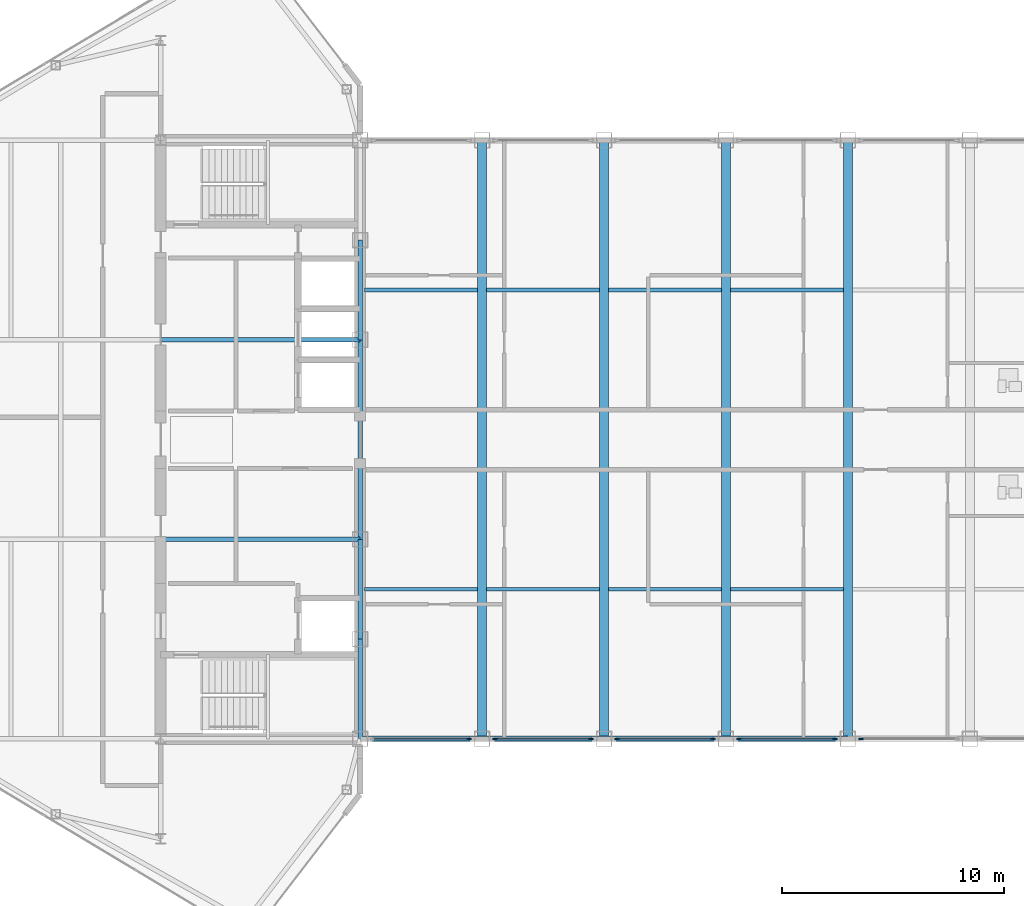
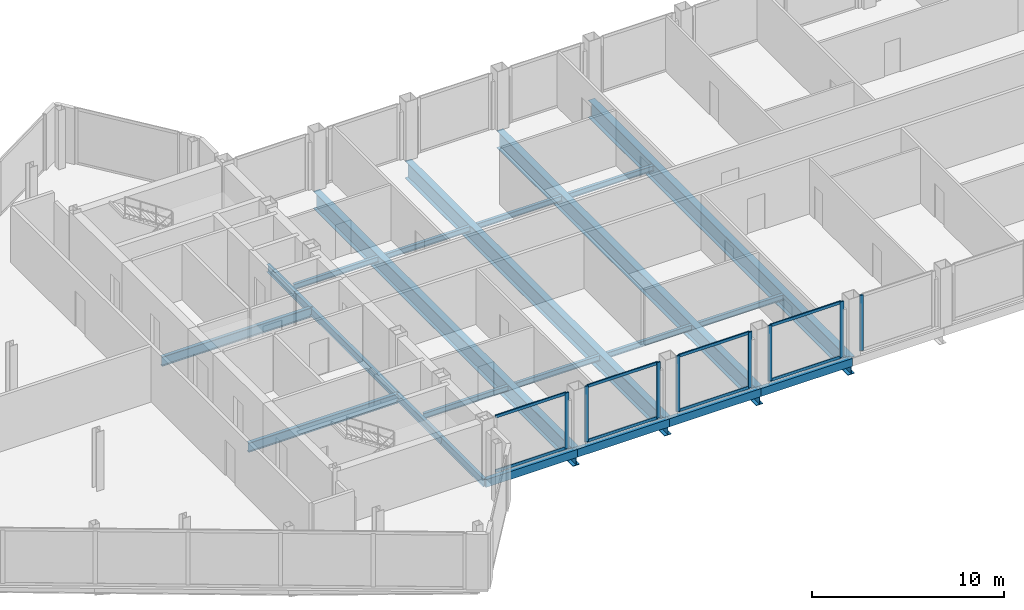
# One storey, part 10 of 28: 22 beams, 16 members, 5 elements without a shape of their own.
"""IFC4 building model written with IfcOpenShell, lengths in metres."""

from ifc_helpers import new_model, si_unit, direction, frame, origin, origin_2d, place, context, subcontext, project, spatial, rectangle, hollow_rectangle, i_section, extrude, source, transform, mapped, material, layer, layer_set, material_profile, profile_set, type_object, type_shapes, element, aggregate, save


model = new_model("IFC4")

# Units and contexts
model_context = context("Model", 3, precision=1e-05, world=origin(), true_north=direction((0.0, 1.0)))
body_context = subcontext(model_context, "Body", "Model", "MODEL_VIEW")
ifc_project = project(units=[si_unit("LENGTHUNIT", "METRE"), si_unit("AREAUNIT", "SQUARE_METRE"), si_unit("VOLUMEUNIT", "CUBIC_METRE"), si_unit("PLANEANGLEUNIT", "RADIAN"), si_unit("MASSUNIT", "GRAM", prefix="KILO")], contexts=[model_context])

# Site, building, storey
site_placement = place(None, origin())
site = spatial("IfcSite", under=ifc_project, at=site_placement, CompositionType="ELEMENT")
building_placement = place(site_placement, origin())
building = spatial("IfcBuilding", under=site, at=building_placement, Name="Seokmaru Belvedere", CompositionType="ELEMENT")
storey_placement = place(building_placement, frame((0.0, 0.0, 261.89990234375)))
storey = spatial("IfcBuildingStorey", under=building, at=storey_placement, Name="L69", CompositionType="ELEMENT", Elevation=261.89990234375)

# Beams
ifc_material_1 = material(Name="Steel SM355 (355 MPa)", Category="steel")
ifc_material_profile_1 = material_profile(ifc_material_1, i_section(OverallWidth=0.199951171875, OverallDepth=0.5, WebThickness=0.010009765625, FlangeThickness=0.01611328125, at=origin_2d()), Name="H-500x200x10x16")
ifc_profile_set_1 = profile_set([ifc_material_profile_1], Name="Steel SM355 (355 MPa)")
beam_type_1 = type_object("IfcBeamType", Name="Perimeter Spandrel Beam H-500", PredefinedType="SPANDREL", material=ifc_profile_set_1)
shared_shape_1 = source(origin(), body_context, "Body", "SweptSolid", [
    extrude(i_section(OverallWidth=0.199951171875, OverallDepth=0.5, WebThickness=0.010009765625, FlangeThickness=0.01611328125, at=origin_2d()), origin(), (0.0, 0.0, 1.0), 4.5),
])
for number, where, z_axis, x_axis, name in (
    (1, (-27.5, -13.5, -0.469970703125), (0.0, 1.0, 0.0), (-1.0, 0.0, 0.0), "L69 W Portal Spine Spandrel 1"),
    (2, (-27.5, -9.0, -0.469970703125), (0.0, 1.0, 0.0), (-1.0, 0.0, 0.0), "L69 W Portal Spine Spandrel 2"),
    (3, (-27.5, 4.5, -0.469970703125), (0.0, 1.0, 0.0), (-1.0, 0.0, 0.0), "L69 W Portal Spine Spandrel 4"),
):
    element("IfcBeam", number, at=place(storey_placement, frame(where, z_axis=z_axis, x_axis=x_axis)), inside=storey, type_object=beam_type_1, Name=name, PredefinedType="SPANDREL", context=body_context, shape_type="MappedRepresentation", body=[
        mapped(shared_shape_1, transform((0.0, 0.0, 0.0), scale=1.0)),
    ])
shared_shape_2 = source(origin(), body_context, "Body", "SweptSolid", [
    extrude(i_section(OverallWidth=0.199951171875, OverallDepth=0.5, WebThickness=0.010009765625, FlangeThickness=0.01611328125, at=origin_2d()), origin(), (0.0, 0.0, 1.0), 9.0),
])
type_shapes(beam_type_1, [shared_shape_1, shared_shape_2])
beam_placement = place(storey_placement, frame((-27.5, -4.5, -0.469970703125), z_axis=(0.0, 1.0, 0.0), x_axis=(-1.0, 0.0, 0.0)))
element("IfcBeam", 4, at=beam_placement, inside=storey, type_object=beam_type_1, Name="L69 W Portal Spine Spandrel 3", PredefinedType="SPANDREL", context=body_context, shape_type="MappedRepresentation", body=[
    mapped(shared_shape_2, transform((0.0, 0.0, 0.0), scale=1.0)),
])
ifc_material_profile_2 = material_profile(ifc_material_1, i_section(OverallWidth=0.199951171875, OverallDepth=0.60009765625, WebThickness=0.010986328125, FlangeThickness=0.01708984375, at=origin_2d()), Name="H-600x200x11x17")
ifc_profile_set_2 = profile_set([ifc_material_profile_2], Name="Steel SM355 (355 MPa)")
beam_type_2 = type_object("IfcBeamType", Name="Primary Floor Girder H-600", PredefinedType="BEAM", material=ifc_profile_set_2)
shared_shape_3 = source(origin(), body_context, "Body", "SweptSolid", [
    extrude(i_section(OverallWidth=0.199951171875, OverallDepth=0.60009765625, WebThickness=0.010986328125, FlangeThickness=0.01708984375, at=origin_2d()), origin(), (0.0, 0.0, 1.0), 9.0),
])
type_shapes(beam_type_2, [shared_shape_3])
for number, where, z_axis, x_axis, name in (
    (5, (-36.5, -4.5, -0.52001953125), (1.0, 0.0, 0.0), (0.0, 1.0, 0.0), "L69 W Core Tie Girder 2"),
    (6, (-36.5, 4.5, -0.52001953125), (1.0, 0.0, 0.0), (0.0, 1.0, 0.0), "L69 W Core Tie Girder 3"),
):
    element("IfcBeam", number, at=place(storey_placement, frame(where, z_axis=z_axis, x_axis=x_axis)), inside=storey, type_object=beam_type_2, Name=name, PredefinedType="BEAM", context=body_context, shape_type="MappedRepresentation", body=[
        mapped(shared_shape_3, transform((0.0, 0.0, 0.0), scale=1.0)),
    ])
ifc_material_profile_3 = material_profile(ifc_material_1, i_section(OverallWidth=0.39990234375, OverallDepth=1.10009765625, WebThickness=0.02001953125, FlangeThickness=0.033935546875, at=origin_2d()), Name="BH-1100x400x20x34")
ifc_profile_set_3 = profile_set([ifc_material_profile_3], Name="Steel SM355 (355 MPa)")
beam_type_3 = type_object("IfcBeamType", Name="Sky-Gate Transverse Girder BH-1100", PredefinedType="BEAM", material=ifc_profile_set_3)
shared_shape_4 = source(origin(), body_context, "Body", "SweptSolid", [
    extrude(i_section(OverallWidth=0.39990234375, OverallDepth=1.10009765625, WebThickness=0.02001953125, FlangeThickness=0.033935546875, at=origin_2d()), origin(), (0.0, 0.0, 1.0), 27.0),
])
type_shapes(beam_type_3, [shared_shape_4])
for number, where, z_axis, x_axis, name in (
    (7, (-22.0, -13.5, -0.77001953125), (0.0, 1.0, 0.0), (-1.0, 0.0, 0.0), "L69 Sky-Gate Transverse Girder 01"),
    (8, (-16.5, -13.5, -0.77001953125), (0.0, 1.0, 0.0), (-1.0, 0.0, 0.0), "L69 Sky-Gate Transverse Girder 02"),
    (9, (-11.0, -13.5, -0.77001953125), (0.0, 1.0, 0.0), (-1.0, 0.0, 0.0), "L69 Sky-Gate Transverse Girder 03"),
    (10, (-5.5, -13.5, -0.77001953125), (0.0, 1.0, 0.0), (-1.0, 0.0, 0.0), "L69 Sky-Gate Transverse Girder 04"),
):
    element("IfcBeam", number, at=place(storey_placement, frame(where, z_axis=z_axis, x_axis=x_axis)), inside=storey, type_object=beam_type_3, Name=name, PredefinedType="BEAM", context=body_context, shape_type="MappedRepresentation", body=[
        mapped(shared_shape_4, transform((0.0, 0.0, 0.0), scale=1.0)),
    ])
ifc_material_profile_4 = material_profile(ifc_material_1, i_section(OverallWidth=0.175048828125, OverallDepth=0.35009765625, WebThickness=0.007080078125, FlangeThickness=0.010986328125, at=origin_2d()), Name="H-350x175x7x11")
ifc_profile_set_4 = profile_set([ifc_material_profile_4], Name="Steel SM355 (355 MPa)")
beam_type_4 = type_object("IfcBeamType", Name="Secondary Floor Joist H-300", PredefinedType="JOIST", material=ifc_profile_set_4)
shared_shape_5 = source(origin(), body_context, "Body", "SweptSolid", [
    extrude(i_section(OverallWidth=0.175048828125, OverallDepth=0.35009765625, WebThickness=0.007080078125, FlangeThickness=0.010986328125, at=origin_2d()), origin(), (0.0, 0.0, 1.0), 5.08984375),
])
type_shapes(beam_type_4, [shared_shape_5])
for number, where, z_axis, x_axis, name in (
    (11, (-27.294921875, -6.75, -0.39501953125), (1.0, 0.0, 0.0), (0.0, 1.0, 0.0), "L69 Sky-Gate Secondary Joist S-01"),
    (12, (-21.794921875, -6.75, -0.39501953125), (1.0, 0.0, 0.0), (0.0, 1.0, 0.0), "L69 Sky-Gate Secondary Joist S-02"),
    (13, (-16.294921875, -6.75, -0.39501953125), (1.0, 0.0, 0.0), (0.0, 1.0, 0.0), "L69 Sky-Gate Secondary Joist S-03"),
    (14, (-10.794921875, -6.75, -0.39501953125), (1.0, 0.0, 0.0), (0.0, 1.0, 0.0), "L69 Sky-Gate Secondary Joist S-04"),
    (15, (-27.294921875, 6.75, -0.39501953125), (1.0, 0.0, 0.0), (0.0, 1.0, 0.0), "L69 Sky-Gate Secondary Joist N-01"),
    (16, (-21.794921875, 6.75, -0.39501953125), (1.0, 0.0, 0.0), (0.0, 1.0, 0.0), "L69 Sky-Gate Secondary Joist N-02"),
    (17, (-16.294921875, 6.75, -0.39501953125), (1.0, 0.0, 0.0), (0.0, 1.0, 0.0), "L69 Sky-Gate Secondary Joist N-03"),
    (18, (-10.794921875, 6.75, -0.39501953125), (1.0, 0.0, 0.0), (0.0, 1.0, 0.0), "L69 Sky-Gate Secondary Joist N-04"),
):
    element("IfcBeam", number, at=place(storey_placement, frame(where, z_axis=z_axis, x_axis=x_axis)), inside=storey, type_object=beam_type_4, Name=name, PredefinedType="JOIST", context=body_context, shape_type="MappedRepresentation", body=[
        mapped(shared_shape_5, transform((0.0, 0.0, 0.0), scale=1.0)),
    ])
ifc_material_profile_5 = material_profile(ifc_material_1, hollow_rectangle(XDim=0.25, YDim=0.5, WallThickness=0.013916015625, at=origin_2d()), Name="RHS-500x250x14")
ifc_profile_set_5 = profile_set([ifc_material_profile_5], Name="Steel SM355 (355 MPa)")
beam_type_5 = type_object("IfcBeamType", Name="Bridge Edge Spandrel RHS-500", PredefinedType="SPANDREL", material=ifc_profile_set_5)
shared_shape_6 = source(origin(), body_context, "Body", "SweptSolid", [
    extrude(hollow_rectangle(XDim=0.25, YDim=0.5, WallThickness=0.013916015625, at=origin_2d()), origin(), (0.0, 0.0, 1.0), 5.5),
])
type_shapes(beam_type_5, [shared_shape_6])
for number, where, z_axis, x_axis, name in (
    (19, (-27.5, -13.5, -0.469970703125), (1.0, 0.0, 0.0), (0.0, 1.0, 0.0), "L69 Sky-Gate Bridge Edge Girder S-01"),
    (20, (-22.0, -13.5, -0.469970703125), (1.0, 0.0, 0.0), (0.0, 1.0, 0.0), "L69 Sky-Gate Bridge Edge Girder S-02"),
    (21, (-16.5, -13.5, -0.469970703125), (1.0, 0.0, 0.0), (0.0, 1.0, 0.0), "L69 Sky-Gate Bridge Edge Girder S-03"),
    (22, (-11.0, -13.5, -0.469970703125), (1.0, 0.0, 0.0), (0.0, 1.0, 0.0), "L69 Sky-Gate Bridge Edge Girder S-04"),
):
    element("IfcBeam", number, at=place(storey_placement, frame(where, z_axis=z_axis, x_axis=x_axis)), inside=storey, type_object=beam_type_5, Name=name, PredefinedType="SPANDREL", context=body_context, shape_type="MappedRepresentation", body=[
        mapped(shared_shape_6, transform((0.0, 0.0, 0.0), scale=1.0)),
    ])

# Curtain wall, members
ifc_material_2 = material(Name="Bronze Triple Insulating Glass", Category="glass")
ifc_layer = layer(ifc_material_2, 0.219970703125)
ifc_layer_set = layer_set([ifc_layer], Name="Bronze Triple Insulating Glass")
curtain_wall_type = type_object("IfcCurtainWallType", Name="Sky-Gate Bridge Panorama Curtain Wall System CW-6", PredefinedType="NOTDEFINED", material=ifc_layer_set)
curtain_wall_1_placement = place(storey_placement, origin())
curtain_wall_1 = element("IfcCurtainWall", 23, at=curtain_wall_1_placement, inside=storey, type_object=curtain_wall_type, Name="L69 Curtain Wall BR_S01", PredefinedType="NOTDEFINED")
ifc_material_3 = material(Name="Anodised Bronze Aluminium", Category="aluminium")
ifc_material_profile_6 = material_profile(ifc_material_3, rectangle(XDim=0.074951171875, YDim=0.179931640625, at=origin_2d()), Name="CW-T-75x180")
ifc_profile_set_6 = profile_set([ifc_material_profile_6], Name="Anodised Bronze Aluminium")
member_type_1 = type_object("IfcMemberType", Name="Bronze Unitised Transom 75x180", PredefinedType="USERDEFINED", material=ifc_profile_set_6)
shared_shape_7 = source(origin(), body_context, "Body", "SweptSolid", [
    extrude(rectangle(XDim=0.074951171875, YDim=0.179931640625, at=origin_2d()), origin(), (0.0, 0.0, 1.0), 4.240234375),
])
type_shapes(member_type_1, [shared_shape_7])
member_1_placement = place(storey_placement, frame((-26.8701171875, -13.5, 0.03759765625), z_axis=(1.0, 0.0, 0.0), x_axis=(0.0, 1.0, 0.0)))
member_1 = element("IfcMember", 24, at=member_1_placement, type_object=member_type_1, Name="CW:L69:BR_S01 Continuous Transom 1", ObjectType="TRANSOM", PredefinedType="USERDEFINED", context=body_context, shape_type="MappedRepresentation", body=[
    mapped(shared_shape_7, transform((0.0, 0.0, 0.0), scale=1.0)),
])
member_2_placement = place(storey_placement, frame((-26.8701171875, -13.5, 3.49267578125), z_axis=(1.0, 0.0, 0.0), x_axis=(0.0, 1.0, 0.0)))
member_2 = element("IfcMember", 25, at=member_2_placement, type_object=member_type_1, Name="CW:L69:BR_S01 Continuous Transom 2", ObjectType="TRANSOM", PredefinedType="USERDEFINED", context=body_context, shape_type="MappedRepresentation", body=[
    mapped(shared_shape_7, transform((0.0, 0.0, 0.0), scale=1.0)),
])

curtain_wall_2_placement = place(storey_placement, origin())
curtain_wall_2 = element("IfcCurtainWall", 26, at=curtain_wall_2_placement, inside=storey, type_object=curtain_wall_type, Name="L69 Curtain Wall BR_S02", PredefinedType="NOTDEFINED")
member_3_placement = place(storey_placement, frame((-21.3701171875, -13.5, 0.03759765625), z_axis=(1.0, 0.0, 0.0), x_axis=(0.0, 1.0, 0.0)))
member_3 = element("IfcMember", 27, at=member_3_placement, type_object=member_type_1, Name="CW:L69:BR_S02 Continuous Transom 1", ObjectType="TRANSOM", PredefinedType="USERDEFINED", context=body_context, shape_type="MappedRepresentation", body=[
    mapped(shared_shape_7, transform((0.0, 0.0, 0.0), scale=1.0)),
])
member_4_placement = place(storey_placement, frame((-21.3701171875, -13.5, 3.49267578125), z_axis=(1.0, 0.0, 0.0), x_axis=(0.0, 1.0, 0.0)))
member_4 = element("IfcMember", 28, at=member_4_placement, type_object=member_type_1, Name="CW:L69:BR_S02 Continuous Transom 2", ObjectType="TRANSOM", PredefinedType="USERDEFINED", context=body_context, shape_type="MappedRepresentation", body=[
    mapped(shared_shape_7, transform((0.0, 0.0, 0.0), scale=1.0)),
])

curtain_wall_3_placement = place(storey_placement, origin())
curtain_wall_3 = element("IfcCurtainWall", 29, at=curtain_wall_3_placement, inside=storey, type_object=curtain_wall_type, Name="L69 Curtain Wall BR_S03", PredefinedType="NOTDEFINED")
member_5_placement = place(storey_placement, frame((-15.8701171875, -13.5, 0.03759765625), z_axis=(1.0, 0.0, 0.0), x_axis=(0.0, 1.0, 0.0)))
member_5 = element("IfcMember", 30, at=member_5_placement, type_object=member_type_1, Name="CW:L69:BR_S03 Continuous Transom 1", ObjectType="TRANSOM", PredefinedType="USERDEFINED", context=body_context, shape_type="MappedRepresentation", body=[
    mapped(shared_shape_7, transform((0.0, 0.0, 0.0), scale=1.0)),
])
member_6_placement = place(storey_placement, frame((-15.8701171875, -13.5, 3.49267578125), z_axis=(1.0, 0.0, 0.0), x_axis=(0.0, 1.0, 0.0)))
member_6 = element("IfcMember", 31, at=member_6_placement, type_object=member_type_1, Name="CW:L69:BR_S03 Continuous Transom 2", ObjectType="TRANSOM", PredefinedType="USERDEFINED", context=body_context, shape_type="MappedRepresentation", body=[
    mapped(shared_shape_7, transform((0.0, 0.0, 0.0), scale=1.0)),
])

curtain_wall_4_placement = place(storey_placement, origin())
curtain_wall_4 = element("IfcCurtainWall", 32, at=curtain_wall_4_placement, inside=storey, type_object=curtain_wall_type, Name="L69 Curtain Wall BR_S04", PredefinedType="NOTDEFINED")
member_7_placement = place(storey_placement, frame((-10.3701171875, -13.5, 0.03759765625), z_axis=(1.0, 0.0, 0.0), x_axis=(0.0, 1.0, 0.0)))
member_7 = element("IfcMember", 33, at=member_7_placement, type_object=member_type_1, Name="CW:L69:BR_S04 Continuous Transom 1", ObjectType="TRANSOM", PredefinedType="USERDEFINED", context=body_context, shape_type="MappedRepresentation", body=[
    mapped(shared_shape_7, transform((0.0, 0.0, 0.0), scale=1.0)),
])
member_8_placement = place(storey_placement, frame((-10.3701171875, -13.5, 3.49267578125), z_axis=(1.0, 0.0, 0.0), x_axis=(0.0, 1.0, 0.0)))
member_8 = element("IfcMember", 34, at=member_8_placement, type_object=member_type_1, Name="CW:L69:BR_S04 Continuous Transom 2", ObjectType="TRANSOM", PredefinedType="USERDEFINED", context=body_context, shape_type="MappedRepresentation", body=[
    mapped(shared_shape_7, transform((0.0, 0.0, 0.0), scale=1.0)),
])

# Member
ifc_material_profile_7 = material_profile(ifc_material_3, rectangle(XDim=0.080078125, YDim=0.219970703125, at=origin_2d()), Name="CW-M-80x220")
ifc_profile_set_7 = profile_set([ifc_material_profile_7], Name="Anodised Bronze Aluminium")
member_type_2 = type_object("IfcMemberType", Name="Bronze Unitised Mullion 80x220", PredefinedType="MULLION", material=ifc_profile_set_7)
shared_shape_8 = source(origin(), body_context, "Body", "SweptSolid", [
    extrude(rectangle(XDim=0.080078125, YDim=0.219970703125, at=origin_2d()), origin(), (0.0, 0.0, 1.0), 3.530029296875),
])
type_shapes(member_type_2, [shared_shape_8])
member_9_placement = place(storey_placement, frame((-22.590087890625, -13.5, 0.0), z_axis=(0.0, 0.0, 1.0), x_axis=(0.0, 1.0, 0.0)))
member_9 = element("IfcMember", 35, at=member_9_placement, type_object=member_type_2, Name="CW:L69:BR_S01 Mullion 2", PredefinedType="MULLION", context=body_context, shape_type="MappedRepresentation", body=[
    mapped(shared_shape_8, transform((0.0, 0.0, 0.0), scale=1.0)),
])

aggregate(curtain_wall_1, [member_9, member_1, member_2])

member_10_placement = place(storey_placement, frame((-21.409912109375, -13.5, 0.0), z_axis=(0.0, 0.0, 1.0), x_axis=(0.0, 1.0, 0.0)))
member_10 = element("IfcMember", 36, at=member_10_placement, type_object=member_type_2, Name="CW:L69:BR_S02 Mullion 1", PredefinedType="MULLION", context=body_context, shape_type="MappedRepresentation", body=[
    mapped(shared_shape_8, transform((0.0, 0.0, 0.0), scale=1.0)),
])

member_11_placement = place(storey_placement, frame((-17.090087890625, -13.5, 0.0), z_axis=(0.0, 0.0, 1.0), x_axis=(0.0, 1.0, 0.0)))
member_11 = element("IfcMember", 37, at=member_11_placement, type_object=member_type_2, Name="CW:L69:BR_S02 Mullion 2", PredefinedType="MULLION", context=body_context, shape_type="MappedRepresentation", body=[
    mapped(shared_shape_8, transform((0.0, 0.0, 0.0), scale=1.0)),
])

aggregate(curtain_wall_2, [member_10, member_11, member_3, member_4])

member_12_placement = place(storey_placement, frame((-15.909912109375, -13.5, 0.0), z_axis=(0.0, 0.0, 1.0), x_axis=(0.0, 1.0, 0.0)))
member_12 = element("IfcMember", 38, at=member_12_placement, type_object=member_type_2, Name="CW:L69:BR_S03 Mullion 1", PredefinedType="MULLION", context=body_context, shape_type="MappedRepresentation", body=[
    mapped(shared_shape_8, transform((0.0, 0.0, 0.0), scale=1.0)),
])

member_13_placement = place(storey_placement, frame((-11.590087890625, -13.5, 0.0), z_axis=(0.0, 0.0, 1.0), x_axis=(0.0, 1.0, 0.0)))
member_13 = element("IfcMember", 39, at=member_13_placement, type_object=member_type_2, Name="CW:L69:BR_S03 Mullion 2", PredefinedType="MULLION", context=body_context, shape_type="MappedRepresentation", body=[
    mapped(shared_shape_8, transform((0.0, 0.0, 0.0), scale=1.0)),
])

aggregate(curtain_wall_3, [member_12, member_13, member_5, member_6])

member_14_placement = place(storey_placement, frame((-10.409912109375, -13.5, 0.0), z_axis=(0.0, 0.0, 1.0), x_axis=(0.0, 1.0, 0.0)))
member_14 = element("IfcMember", 40, at=member_14_placement, type_object=member_type_2, Name="CW:L69:BR_S04 Mullion 1", PredefinedType="MULLION", context=body_context, shape_type="MappedRepresentation", body=[
    mapped(shared_shape_8, transform((0.0, 0.0, 0.0), scale=1.0)),
])

member_15_placement = place(storey_placement, frame((-6.090087890625, -13.5, 0.0), z_axis=(0.0, 0.0, 1.0), x_axis=(0.0, 1.0, 0.0)))
member_15 = element("IfcMember", 41, at=member_15_placement, type_object=member_type_2, Name="CW:L69:BR_S04 Mullion 2", PredefinedType="MULLION", context=body_context, shape_type="MappedRepresentation", body=[
    mapped(shared_shape_8, transform((0.0, 0.0, 0.0), scale=1.0)),
])

aggregate(curtain_wall_4, [member_14, member_15, member_7, member_8])

# Curtain wall, member
curtain_wall_5_placement = place(storey_placement, origin())
curtain_wall_5 = element("IfcCurtainWall", 42, at=curtain_wall_5_placement, inside=storey, type_object=curtain_wall_type, Name="L69 Curtain Wall BR_S05", PredefinedType="NOTDEFINED")
member_16_placement = place(storey_placement, frame((-4.909912109375, -13.5, 0.0), z_axis=(0.0, 0.0, 1.0), x_axis=(0.0, 1.0, 0.0)))
member_16 = element("IfcMember", 43, at=member_16_placement, type_object=member_type_2, Name="CW:L69:BR_S05 Mullion 1", PredefinedType="MULLION", context=body_context, shape_type="MappedRepresentation", body=[
    mapped(shared_shape_8, transform((0.0, 0.0, 0.0), scale=1.0)),
])
aggregate(curtain_wall_5, [member_16])

save(model, "model.ifc")
